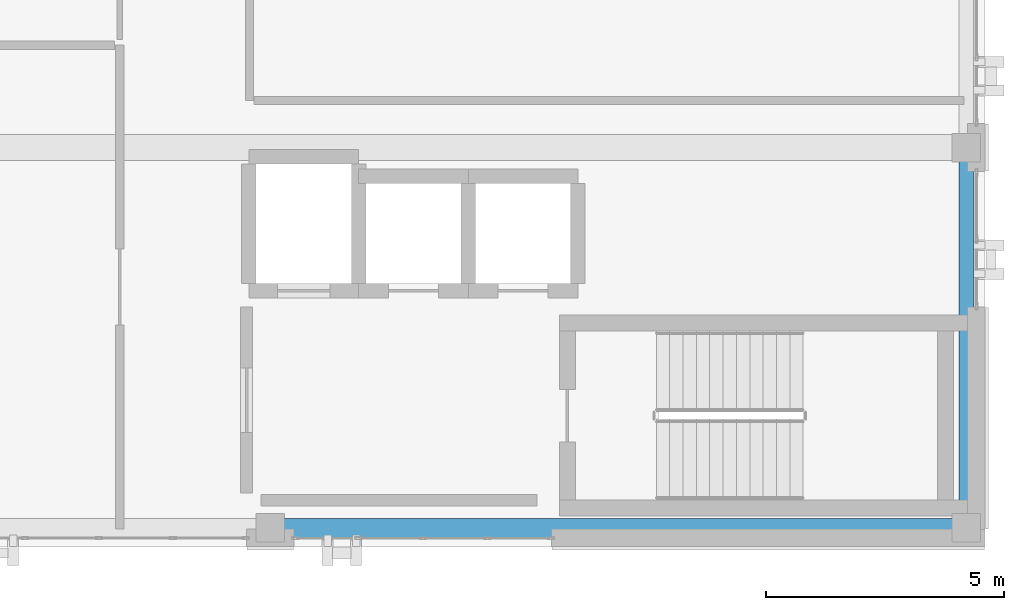
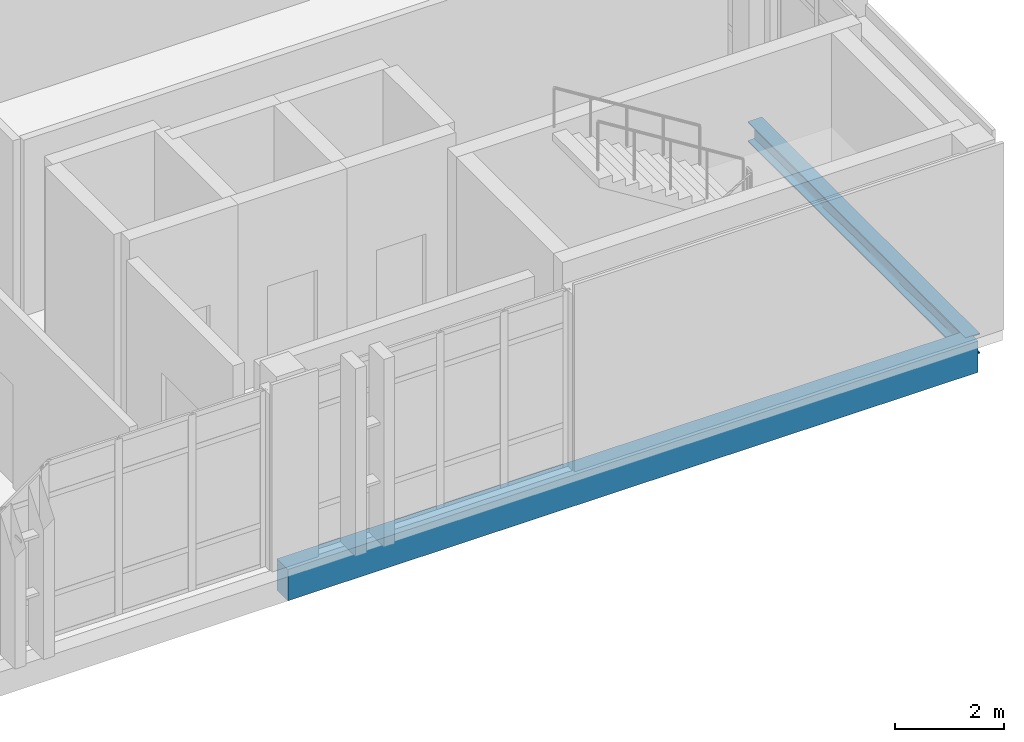
# One storey, part 33 of 77: 2 beams.
"""IFC4 building model written with IfcOpenShell, lengths in metres."""

from ifc_helpers import new_model, si_unit, direction, frame, origin, origin_2d, place, context, subcontext, project, spatial, rectangle, i_section, extrude, material, material_profile, profile_set, type_object, element, save


model = new_model("IFC4")

# Units and contexts
model_context = context("Model", 3, precision=1e-05, world=origin(), true_north=direction((0.0, 1.0)))
body_context = subcontext(model_context, "Body", "Model", "MODEL_VIEW")
ifc_project = project(units=[si_unit("LENGTHUNIT", "METRE"), si_unit("AREAUNIT", "SQUARE_METRE"), si_unit("VOLUMEUNIT", "CUBIC_METRE"), si_unit("PLANEANGLEUNIT", "RADIAN"), si_unit("MASSUNIT", "GRAM", prefix="KILO")], contexts=[model_context])

# Site, building, storey
site_placement = place(None, origin())
site = spatial("IfcSite", under=ifc_project, at=site_placement, CompositionType="ELEMENT")
building_placement = place(site_placement, origin())
building = spatial("IfcBuilding", under=site, at=building_placement, Name="Qalavern Law Courts", CompositionType="ELEMENT")
storey_placement = place(building_placement, frame((0.0, 0.0, 27.0)))
storey = spatial("IfcBuildingStorey", under=building, at=storey_placement, Name="L06", CompositionType="ELEMENT", Elevation=27.0)

# Beams
ifc_material_1 = material(Name="Steel S355", Category="steel")
ifc_material_profile_1 = material_profile(ifc_material_1, i_section(OverallWidth=0.300048828125, OverallDepth=0.449951171875, WebThickness=0.013916015625, FlangeThickness=0.02587890625, FilletRadius=0.027099609375, at=origin_2d()), Name="HEB 450")
ifc_profile_set_1 = profile_set([ifc_material_profile_1], Name="Steel S355")
beam_type_1 = type_object("IfcBeamType", Name="STR-SP-HEB450", PredefinedType="SPANDREL", material=ifc_profile_set_1)
beam_1_placement = place(storey_placement, frame((106.39990234375, 41.419921875, -0.4951171875), z_axis=(0.0, 1.0, 0.0), x_axis=(-1.0, 0.0, 0.0)))
element("IfcBeam", 1, at=beam_1_placement, inside=storey, type_object=beam_type_1, Name="V4 Y-beam 3-1 L06", PredefinedType="SPANDREL", context=body_context, shape_type="SweptSolid", body=[
    extrude(i_section(OverallWidth=0.300048828125, OverallDepth=0.449951171875, WebThickness=0.013916015625, FlangeThickness=0.02587890625, FilletRadius=0.027099609375, at=origin_2d()), origin(), (0.0, 0.0, 1.0), 7.97998046875),
])
ifc_material_2 = material(Name="Concrete C40/50", Category="concrete")
ifc_material_profile_2 = material_profile(ifc_material_2, rectangle(XDim=0.39990234375, YDim=0.699951171875, at=origin_2d()), Name="RC 400x700")
ifc_profile_set_2 = profile_set([ifc_material_profile_2], Name="Concrete C40/50")
beam_type_2 = type_object("IfcBeamType", Name="STR-SP-RC400x700", PredefinedType="SPANDREL", material=ifc_profile_set_2)
beam_2_placement = place(storey_placement, frame((91.800048828125, 41.419921875, -0.6201171875), z_axis=(1.0, 0.0, 0.0), x_axis=(0.0, 1.0, 0.0)))
element("IfcBeam", 2, at=beam_2_placement, inside=storey, type_object=beam_type_2, Name="V4 X-beam 1-2 L06", PredefinedType="SPANDREL", context=body_context, shape_type="SweptSolid", body=[
    extrude(rectangle(XDim=0.39990234375, YDim=0.699951171875, at=origin_2d()), origin(), (0.0, 0.0, 1.0), 14.599853515625),
])

save(model, "model.ifc")
